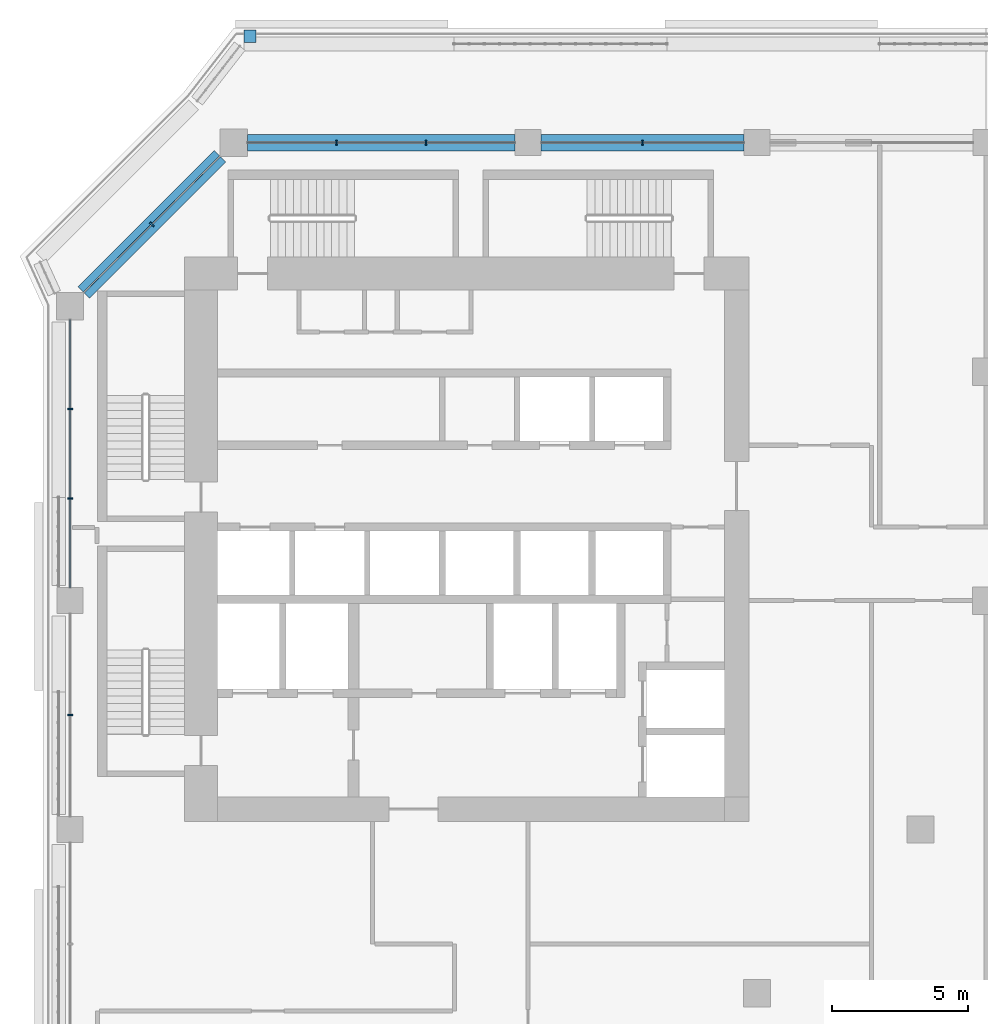
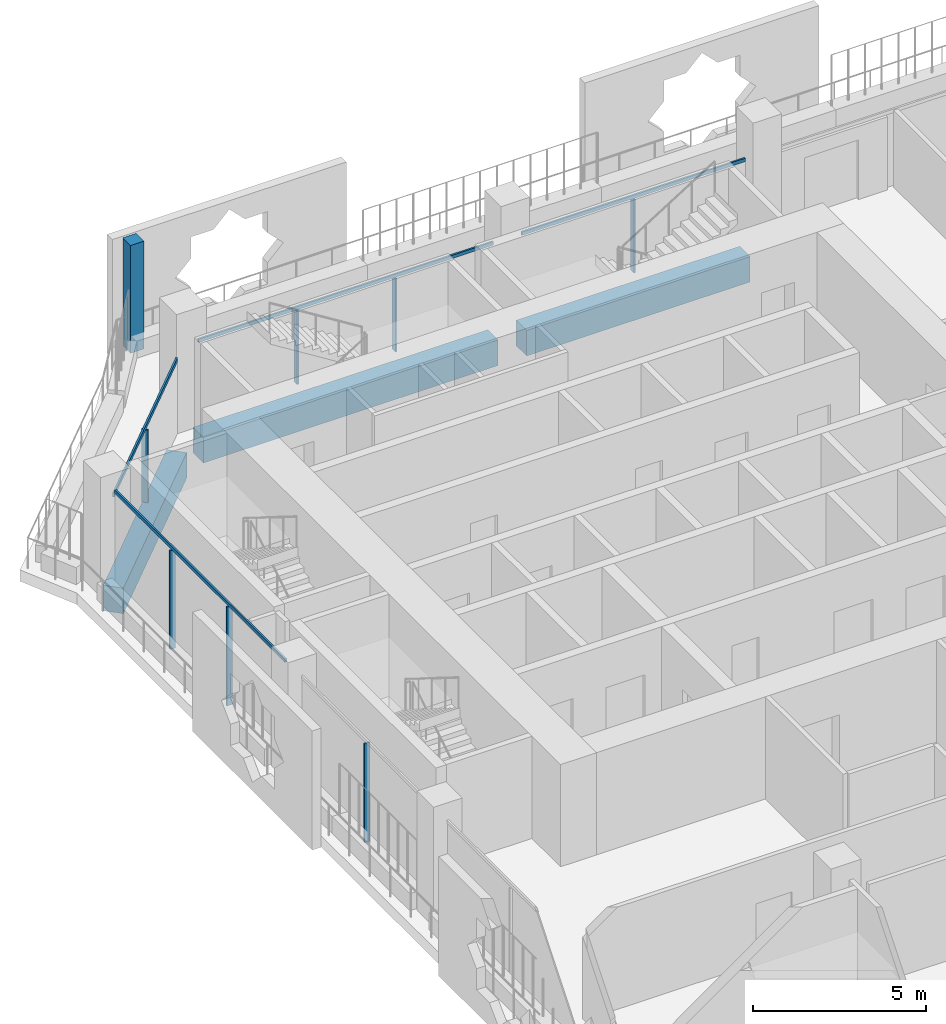
# One storey, part 5 of 22: 12 members, 3 beams, 4 elements without a shape of their own.
"""IFC4 building model written with IfcOpenShell, lengths in metres."""

from ifc_helpers import new_model, si_unit, direction, frame, origin, origin_2d, place, context, subcontext, project, spatial, rectangle, extrude, material, layer, layer_set, material_profile, profile_set, type_object, element, aggregate, save


model = new_model("IFC4")

# Units and contexts
model_context = context("Model", 3, precision=1e-05, world=origin(), true_north=direction((0.0, 1.0)))
body_context = subcontext(model_context, "Body", "Model", "MODEL_VIEW")
ifc_project = project(units=[si_unit("LENGTHUNIT", "METRE"), si_unit("AREAUNIT", "SQUARE_METRE"), si_unit("VOLUMEUNIT", "CUBIC_METRE"), si_unit("PLANEANGLEUNIT", "RADIAN"), si_unit("MASSUNIT", "GRAM", prefix="KILO")], contexts=[model_context])

# Site, building, storey
site_placement = place(None, origin())
site = spatial("IfcSite", under=ifc_project, at=site_placement, CompositionType="ELEMENT")
building_placement = place(site_placement, origin())
building = spatial("IfcBuilding", under=site, at=building_placement, Name="Kawkab Arch Medical Tower", CompositionType="ELEMENT")
storey_placement = place(building_placement, frame((0.0, 0.0, 204.60009765625)))
storey = spatial("IfcBuildingStorey", under=building, at=storey_placement, Name="L47", CompositionType="ELEMENT", Elevation=204.60009765625)

# Curtain wall, members
ifc_material_1 = material(Name="Bronze anodised aluminium curtain wall frame", Category="aluminium")
ifc_layer_1 = layer(ifc_material_1, 0.159912109375)
ifc_layer_set_1 = layer_set([ifc_layer_1], Name="Bronze anodised aluminium curtain wall frame")
curtain_wall_type_1 = type_object("IfcCurtainWallType", Name="CW1 ward curtain wall", PredefinedType="NOTDEFINED", material=ifc_layer_set_1)
placement = place(storey_placement, origin())
curtain_wall_1 = element("IfcCurtainWall", 1, at=placement, inside=storey, type_object=curtain_wall_type_1, Name="CW1 Ward curtain wall R01", PredefinedType="NOTDEFINED")
ifc_material_2 = material(Name="Bronze anodised aluminium curtain wall frame", Category="aluminium")
ifc_material_profile_1 = material_profile(ifc_material_2, rectangle(XDim=0.179931640625, YDim=0.06005859375, at=origin_2d()), Name="AL 60x180")
ifc_profile_set_1 = profile_set([ifc_material_profile_1], Name="Bronze anodised aluminium curtain wall frame")
member_type_1 = type_object("IfcMemberType", Name="CW1 mullion 60 x 180", PredefinedType="MULLION", material=ifc_profile_set_1)
member_1_placement = place(storey_placement, frame((0.0, -9.77490234375, 0.0), z_axis=(0.0, 0.0, 1.0), x_axis=(1.0, 0.0, 0.0)))
member_1 = element("IfcMember", 2, at=member_1_placement, type_object=member_type_1, Name="CW1 mullion 1.1", PredefinedType="MULLION", context=body_context, shape_type="SweptSolid", body=[
    extrude(rectangle(XDim=0.179931640625, YDim=0.06005859375, at=origin_2d()), origin(), (0.0, 0.0, 1.0), 3.47998046875),
])
member_2_placement = place(storey_placement, frame((0.0, -13.050048828125, 0.0), z_axis=(0.0, 0.0, 1.0), x_axis=(1.0, 0.0, 0.0)))
member_2 = element("IfcMember", 3, at=member_2_placement, type_object=member_type_1, Name="CW1 mullion 1.2", PredefinedType="MULLION", context=body_context, shape_type="SweptSolid", body=[
    extrude(rectangle(XDim=0.179931640625, YDim=0.06005859375, at=origin_2d()), origin(), (0.0, 0.0, 1.0), 3.47998046875),
])
member_3_placement = place(storey_placement, frame((0.0, -21.0, 0.0), z_axis=(0.0, 0.0, 1.0), x_axis=(1.0, 0.0, 0.0)))
member_3 = element("IfcMember", 4, at=member_3_placement, type_object=member_type_1, Name="CW1 mullion 2.1", PredefinedType="MULLION", context=body_context, shape_type="SweptSolid", body=[
    extrude(rectangle(XDim=0.179931640625, YDim=0.06005859375, at=origin_2d()), origin(), (0.0, 0.0, 1.0), 3.47998046875),
])

curtain_wall_2 = element("IfcCurtainWall", 5, at=placement, inside=storey, type_object=curtain_wall_type_1, Name="CW1 Ward curtain wall R11", PredefinedType="NOTDEFINED")
member_4_placement = place(storey_placement, frame((21.0, 0.0, 0.0), z_axis=(0.0, 0.0, 1.0), x_axis=(0.0, -1.0, 0.0)))
member_4 = element("IfcMember", 6, at=member_4_placement, type_object=member_type_1, Name="CW1 mullion 5.1", PredefinedType="MULLION", context=body_context, shape_type="SweptSolid", body=[
    extrude(rectangle(XDim=0.179931640625, YDim=0.06005859375, at=origin_2d()), origin(), (0.0, 0.0, 1.0), 2.579833984375),
])
member_5_placement = place(storey_placement, frame((13.050048828125, 0.0, 0.0), z_axis=(0.0, 0.0, 1.0), x_axis=(0.0, -1.0, 0.0)))
member_5 = element("IfcMember", 7, at=member_5_placement, type_object=member_type_1, Name="CW1 mullion 6.1", PredefinedType="MULLION", context=body_context, shape_type="SweptSolid", body=[
    extrude(rectangle(XDim=0.179931640625, YDim=0.06005859375, at=origin_2d()), origin(), (0.0, 0.0, 1.0), 2.579833984375),
])
member_6_placement = place(storey_placement, frame((9.77490234375, 0.0, 0.0), z_axis=(0.0, 0.0, 1.0), x_axis=(0.0, -1.0, 0.0)))
member_6 = element("IfcMember", 8, at=member_6_placement, type_object=member_type_1, Name="CW1 mullion 6.2", PredefinedType="MULLION", context=body_context, shape_type="SweptSolid", body=[
    extrude(rectangle(XDim=0.179931640625, YDim=0.06005859375, at=origin_2d()), origin(), (0.0, 0.0, 1.0), 2.579833984375),
])

# Member
ifc_material_3 = material(Name="Bronze anodised aluminium curtain wall frame", Category="aluminium")
ifc_material_profile_2 = material_profile(ifc_material_3, rectangle(XDim=0.06005859375, YDim=0.1201171875, at=origin_2d()), Name="AL 60x120")
ifc_profile_set_2 = profile_set([ifc_material_profile_2], Name="Bronze anodised aluminium curtain wall frame")
member_type_2 = type_object("IfcMemberType", Name="CW1 transom 120 x 60", PredefinedType="USERDEFINED", material=ifc_profile_set_2)
member_7_placement = place(storey_placement, frame((0.0, -6.5, 3.539794921875), z_axis=(0.0, -1.0, 0.0), x_axis=(1.0, 0.0, 0.0)))
member_7 = element("IfcMember", 9, at=member_7_placement, type_object=member_type_2, Name="CW1 transom 1", ObjectType="TRANSOM", PredefinedType="USERDEFINED", context=body_context, shape_type="SweptSolid", body=[
    extrude(rectangle(XDim=0.06005859375, YDim=0.1201171875, at=origin_2d()), origin(), (0.0, 0.0, 1.0), 9.824951171875),
])

aggregate(curtain_wall_1, [member_7, member_1, member_2, member_3])

member_8_placement = place(storey_placement, frame((24.72509765625, 0.0, 2.639892578125), z_axis=(-1.0, 0.0, 0.0), x_axis=(0.0, -1.0, 0.0)))
member_8 = element("IfcMember", 10, at=member_8_placement, type_object=member_type_2, Name="CW1 transom 5", ObjectType="TRANSOM", PredefinedType="USERDEFINED", context=body_context, shape_type="SweptSolid", body=[
    extrude(rectangle(XDim=0.06005859375, YDim=0.1201171875, at=origin_2d()), origin(), (0.0, 0.0, 1.0), 7.4501953125),
])

member_9_placement = place(storey_placement, frame((16.324951171875, 0.0, 2.639892578125), z_axis=(-1.0, 0.0, 0.0), x_axis=(0.0, -1.0, 0.0)))
member_9 = element("IfcMember", 11, at=member_9_placement, type_object=member_type_2, Name="CW1 transom 6", ObjectType="TRANSOM", PredefinedType="USERDEFINED", context=body_context, shape_type="SweptSolid", body=[
    extrude(rectangle(XDim=0.06005859375, YDim=0.1201171875, at=origin_2d()), origin(), (0.0, 0.0, 1.0), 9.824951171875),
])

aggregate(curtain_wall_2, [member_8, member_4, member_9, member_5, member_6])

# Curtain wall, members
ifc_material_4 = material(Name="Bronze anodised aluminium curtain wall frame", Category="aluminium")
ifc_layer_2 = layer(ifc_material_4, 0.159912109375)
ifc_layer_set_2 = layer_set([ifc_layer_2], Name="Bronze anodised aluminium curtain wall frame")
curtain_wall_type_2 = type_object("IfcCurtainWallType", Name="CW2 chamfer curtain wall", PredefinedType="NOTDEFINED", material=ifc_layer_set_2)
curtain_wall_3 = element("IfcCurtainWall", 12, at=placement, inside=storey, type_object=curtain_wall_type_2, Name="CW2 Chamfer curtain wall R12", PredefinedType="NOTDEFINED")
ifc_material_5 = material(Name="Bronze anodised aluminium curtain wall frame", Category="aluminium")
ifc_material_profile_3 = material_profile(ifc_material_5, rectangle(XDim=0.199951171875, YDim=0.06005859375, at=origin_2d()), Name="AL 60x200")
ifc_profile_set_3 = profile_set([ifc_material_profile_3], Name="Bronze anodised aluminium curtain wall frame")
member_type_3 = type_object("IfcMemberType", Name="CW2 mullion 60 x 200", PredefinedType="MULLION", material=ifc_profile_set_3)
member_10_placement = place(storey_placement, frame((3.0, -3.0, 0.0), z_axis=(0.0, 0.0, 1.0), x_axis=(0.707106781187, -0.707106781187, 0.0)))
member_10 = element("IfcMember", 13, at=member_10_placement, type_object=member_type_3, Name="CW2 mullion 1.1", PredefinedType="MULLION", context=body_context, shape_type="SweptSolid", body=[
    extrude(rectangle(XDim=0.199951171875, YDim=0.06005859375, at=origin_2d()), origin(), (0.0, 0.0, 1.0), 2.559814453125),
])
ifc_material_6 = material(Name="Bronze anodised aluminium curtain wall frame", Category="aluminium")
ifc_material_profile_4 = material_profile(ifc_material_6, rectangle(XDim=0.06005859375, YDim=0.139892578125, at=origin_2d()), Name="AL 60x140")
ifc_profile_set_4 = profile_set([ifc_material_profile_4], Name="Bronze anodised aluminium curtain wall frame")
member_type_4 = type_object("IfcMemberType", Name="CW2 transom 140 x 60", PredefinedType="USERDEFINED", material=ifc_profile_set_4)
member_11_placement = place(storey_placement, frame((5.5, -0.5, 2.6298828125), z_axis=(-0.707106781187, -0.707106781187, 0.0), x_axis=(0.707106781187, -0.707106781187, 0.0)))
member_11 = element("IfcMember", 14, at=member_11_placement, type_object=member_type_4, Name="CW2 transom 1", ObjectType="TRANSOM", PredefinedType="USERDEFINED", context=body_context, shape_type="SweptSolid", body=[
    extrude(rectangle(XDim=0.06005859375, YDim=0.139892578125, at=origin_2d()), origin(), (0.0, 0.0, 1.0), 7.071044921875),
])
aggregate(curtain_wall_3, [member_11, member_10])

# Curtain wall, member
ifc_material_7 = material(Name="Bronze anodised aluminium climber frame, planted", Category="aluminium")
ifc_layer_3 = layer(ifc_material_7, 0.449951171875)
ifc_layer_set_3 = layer_set([ifc_layer_3], Name="Bronze anodised aluminium climber frame, planted")
curtain_wall_type_3 = type_object("IfcCurtainWallType", Name="Planted climber frame", PredefinedType="NOTDEFINED", material=ifc_layer_set_3)
curtain_wall_4 = element("IfcCurtainWall", 15, at=placement, inside=storey, type_object=curtain_wall_type_3, Name="Planted climber frame L47", PredefinedType="NOTDEFINED")
ifc_material_8 = material(Name="Bronze anodised aluminium climber frame, planted", Category="aluminium")
ifc_material_profile_5 = material_profile(ifc_material_8, rectangle(XDim=0.449951171875, YDim=0.449951171875, at=origin_2d()), Name="Post 450x450")
ifc_profile_set_5 = profile_set([ifc_material_profile_5], Name="Bronze anodised aluminium climber frame, planted")
member_type_5 = type_object("IfcMemberType", Name="Planted climber post 450 x 450", PredefinedType="MULLION", material=ifc_profile_set_5)
member_12_placement = place(storey_placement, frame((6.596923828125, 3.89990234375, 0.0), z_axis=(0.0, 0.0, 1.0), x_axis=(1.0, 0.0, 0.0)))
member_12 = element("IfcMember", 16, at=member_12_placement, type_object=member_type_5, Name="Planted climber post L47.LOG-01-01.1", PredefinedType="MULLION", context=body_context, shape_type="SweptSolid", body=[
    extrude(rectangle(XDim=0.449951171875, YDim=0.449951171875, at=origin_2d()), origin(), (0.0, 0.0, 1.0), 3.7998046875),
])
aggregate(curtain_wall_4, [member_12])

# Beams
ifc_material_9 = material(Name="Concrete C50/60", Category="concrete")
ifc_material_profile_6 = material_profile(ifc_material_9, rectangle(XDim=0.60009765625, YDim=0.89990234375, at=origin_2d()), Name="RC 600x900")
ifc_profile_set_6 = profile_set([ifc_material_profile_6], Name="Concrete C50/60")
beam_type = type_object("IfcBeamType", Name="RC 600x900 beam C50/60", PredefinedType="BEAM", material=ifc_profile_set_6)
beam_1_placement = place(storey_placement, frame((0.5, -5.5, -1.050048828125), z_axis=(0.707106781187, 0.707106781187, 0.0), x_axis=(-0.707106781187, 0.707106781187, 0.0)))
element("IfcBeam", 17, at=beam_1_placement, inside=storey, type_object=beam_type, Name="Overhang edge beam L47-01", PredefinedType="BEAM", context=body_context, shape_type="SweptSolid", body=[
    extrude(rectangle(XDim=0.60009765625, YDim=0.89990234375, at=origin_2d()), origin(), (0.0, 0.0, 1.0), 7.071044921875),
])
beam_2_placement = place(storey_placement, frame((6.5, 0.0, -1.050048828125), z_axis=(1.0, 0.0, 0.0), x_axis=(0.0, 1.0, 0.0)))
element("IfcBeam", 18, at=beam_2_placement, inside=storey, type_object=beam_type, Name="Overhang edge beam L47-02", PredefinedType="BEAM", context=body_context, shape_type="SweptSolid", body=[
    extrude(rectangle(XDim=0.60009765625, YDim=0.89990234375, at=origin_2d()), origin(), (0.0, 0.0, 1.0), 9.824951171875),
])
beam_3_placement = place(storey_placement, frame((17.27490234375, 0.0, -1.050048828125), z_axis=(1.0, 0.0, 0.0), x_axis=(0.0, 1.0, 0.0)))
element("IfcBeam", 19, at=beam_3_placement, inside=storey, type_object=beam_type, Name="Overhang edge beam L47-03", PredefinedType="BEAM", context=body_context, shape_type="SweptSolid", body=[
    extrude(rectangle(XDim=0.60009765625, YDim=0.89990234375, at=origin_2d()), origin(), (0.0, 0.0, 1.0), 7.4501953125),
])

save(model, "model.ifc")
